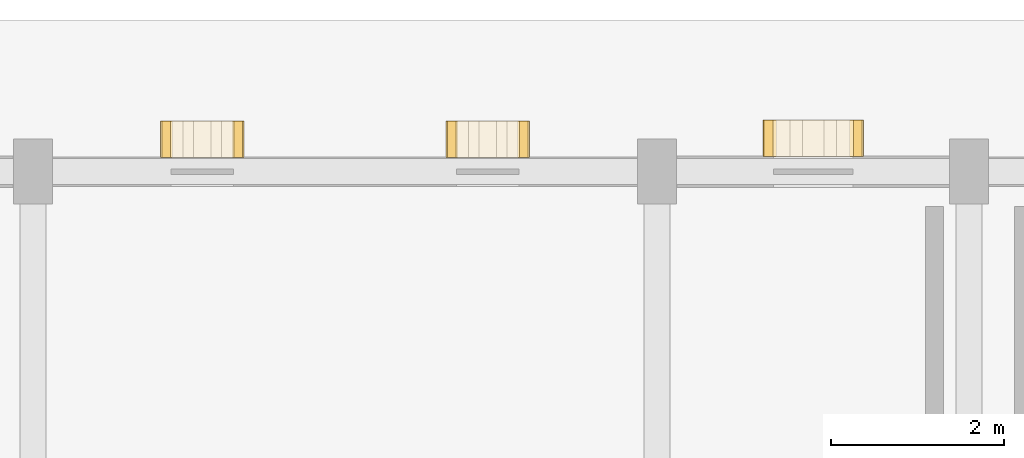
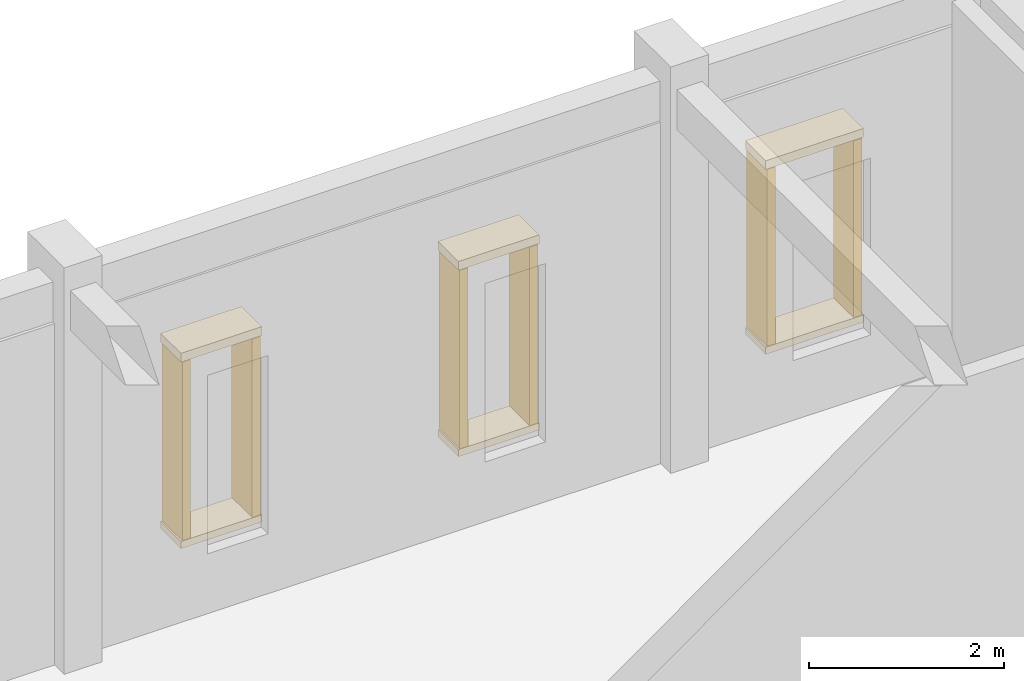
# One storey, part 57 of 72: 12 coverings.
"""IFC4 building model written with IfcOpenShell, lengths in metres."""

from ifc_helpers import new_model, si_unit, direction, frame, origin, origin_2d, place, context, subcontext, project, spatial, rectangle, extrude, material, layer, layer_set, type_object, element, save


model = new_model("IFC4")

# Units and contexts
model_context = context("Model", 3, precision=1e-05, world=origin(), true_north=direction((0.0, 1.0)))
body_context = subcontext(model_context, "Body", "Model", "MODEL_VIEW")
ifc_project = project(units=[si_unit("LENGTHUNIT", "METRE"), si_unit("AREAUNIT", "SQUARE_METRE"), si_unit("VOLUMEUNIT", "CUBIC_METRE"), si_unit("PLANEANGLEUNIT", "RADIAN"), si_unit("MASSUNIT", "GRAM", prefix="KILO")], contexts=[model_context])

# Site, building, storey
site_placement = place(None, origin())
site = spatial("IfcSite", under=ifc_project, at=site_placement, CompositionType="ELEMENT")
building_placement = place(site_placement, origin())
building = spatial("IfcBuilding", under=site, at=building_placement, Name="Nzembalo Square Collegiate School", CompositionType="ELEMENT")
storey_placement = place(building_placement, origin())
storey = spatial("IfcBuildingStorey", under=building, at=storey_placement, Name="L00", CompositionType="ELEMENT", Elevation=0.0)

# Coverings
ifc_material = material(Name="Glazed celadon ceramic window frame")
ifc_layer = layer(ifc_material, 0.419921875, Name="Glazed celadon ceramic window frame")
ifc_layer_set = layer_set([ifc_layer], Name="Glazed celadon ceramic window frame")
covering_type = type_object("IfcCoveringType", Name="WF01", PredefinedType="CLADDING", material=ifc_layer_set)
covering_1_placement = place(storey_placement, frame((121.95361328125, 114.375, 2.9951171875), z_axis=(0.0, 0.0, 1.0), x_axis=(1.0, 0.0, 0.0)))
element("IfcCovering", 1, at=covering_1_placement, inside=storey, type_object=covering_type, Name="Deep lancet window hood WF01-0140", PredefinedType="CLADDING", context=body_context, shape_type="SweptSolid", body=[
    extrude(rectangle(XDim=0.9599609375, YDim=0.419921875, at=origin_2d()), origin(), (0.0, 0.0, 1.0), 0.110107421875),
])
covering_2_placement = place(storey_placement, frame((121.95361328125, 114.375, 0.65478515625), z_axis=(0.0, 0.0, 1.0), x_axis=(1.0, 0.0, 0.0)))
element("IfcCovering", 2, at=covering_2_placement, inside=storey, type_object=covering_type, Name="Deep lancet window sill WF01-0140", PredefinedType="CLADDING", context=body_context, shape_type="SweptSolid", body=[
    extrude(rectangle(XDim=0.9599609375, YDim=0.419921875, at=origin_2d()), origin(), (0.0, 0.0, 1.0), 0.090087890625),
])
for number, where, z_axis, x_axis, name in (
    (3, (121.53857421875, 114.375, 0.75), (0.0, 0.0, 1.0), (1.0, 0.0, 0.0), "Deep lancet window jamb WF01-0140L"),
    (4, (122.368408203125, 114.375, 0.75), (0.0, 0.0, 1.0), (1.0, 0.0, 0.0), "Deep lancet window jamb WF01-0140R"),
):
    element("IfcCovering", number, at=place(storey_placement, frame(where, z_axis=z_axis, x_axis=x_axis)), inside=storey, type_object=covering_type, Name=name, PredefinedType="CLADDING", context=body_context, shape_type="SweptSolid", body=[
        extrude(rectangle(XDim=0.10009765625, YDim=0.419921875, at=origin_2d()), origin(), (0.0, 0.0, 1.0), 2.239990234375),
    ])
covering_3_placement = place(storey_placement, frame((125.24658203125, 114.375, 2.9951171875), z_axis=(0.0, 0.0, 1.0), x_axis=(1.0, 0.0, 0.0)))
element("IfcCovering", 5, at=covering_3_placement, inside=storey, type_object=covering_type, Name="Deep lancet window hood WF01-0141", PredefinedType="CLADDING", context=body_context, shape_type="SweptSolid", body=[
    extrude(rectangle(XDim=0.9599609375, YDim=0.419921875, at=origin_2d()), origin(), (0.0, 0.0, 1.0), 0.110107421875),
])
covering_4_placement = place(storey_placement, frame((125.24658203125, 114.375, 0.65478515625), z_axis=(0.0, 0.0, 1.0), x_axis=(1.0, 0.0, 0.0)))
element("IfcCovering", 6, at=covering_4_placement, inside=storey, type_object=covering_type, Name="Deep lancet window sill WF01-0141", PredefinedType="CLADDING", context=body_context, shape_type="SweptSolid", body=[
    extrude(rectangle(XDim=0.9599609375, YDim=0.419921875, at=origin_2d()), origin(), (0.0, 0.0, 1.0), 0.090087890625),
])
for number, where, z_axis, x_axis, name in (
    (7, (124.83154296875, 114.375, 0.75), (0.0, 0.0, 1.0), (1.0, 0.0, 0.0), "Deep lancet window jamb WF01-0141L"),
    (8, (125.66162109375, 114.375, 0.75), (0.0, 0.0, 1.0), (1.0, 0.0, 0.0), "Deep lancet window jamb WF01-0141R"),
):
    element("IfcCovering", number, at=place(storey_placement, frame(where, z_axis=z_axis, x_axis=x_axis)), inside=storey, type_object=covering_type, Name=name, PredefinedType="CLADDING", context=body_context, shape_type="SweptSolid", body=[
        extrude(rectangle(XDim=0.10009765625, YDim=0.419921875, at=origin_2d()), origin(), (0.0, 0.0, 1.0), 2.239990234375),
    ])
covering_5_placement = place(storey_placement, frame((129.0, 114.385009765625, 2.97509765625), z_axis=(0.0, 0.0, 1.0), x_axis=(1.0, 0.0, 0.0)))
element("IfcCovering", 9, at=covering_5_placement, inside=storey, type_object=covering_type, Name="Deep lancet window hood WF01-0142", PredefinedType="CLADDING", context=body_context, shape_type="SweptSolid", body=[
    extrude(rectangle(XDim=1.159912109375, YDim=0.419921875, at=origin_2d()), origin(), (0.0, 0.0, 1.0), 0.110107421875),
])
covering_6_placement = place(storey_placement, frame((129.0, 114.385009765625, 0.65478515625), z_axis=(0.0, 0.0, 1.0), x_axis=(1.0, 0.0, 0.0)))
element("IfcCovering", 10, at=covering_6_placement, inside=storey, type_object=covering_type, Name="Deep lancet window sill WF01-0142", PredefinedType="CLADDING", context=body_context, shape_type="SweptSolid", body=[
    extrude(rectangle(XDim=1.159912109375, YDim=0.419921875, at=origin_2d()), origin(), (0.0, 0.0, 1.0), 0.090087890625),
])
for number, where, z_axis, x_axis, name in (
    (11, (128.485107421875, 114.385009765625, 0.75), (0.0, 0.0, 1.0), (1.0, 0.0, 0.0), "Deep lancet window jamb WF01-0142L"),
    (12, (129.514892578125, 114.385009765625, 0.75), (0.0, 0.0, 1.0), (1.0, 0.0, 0.0), "Deep lancet window jamb WF01-0142R"),
):
    element("IfcCovering", number, at=place(storey_placement, frame(where, z_axis=z_axis, x_axis=x_axis)), inside=storey, type_object=covering_type, Name=name, PredefinedType="CLADDING", context=body_context, shape_type="SweptSolid", body=[
        extrude(rectangle(XDim=0.10009765625, YDim=0.419921875, at=origin_2d()), origin(), (0.0, 0.0, 1.0), 2.219970703125),
    ])

save(model, "model.ifc")
